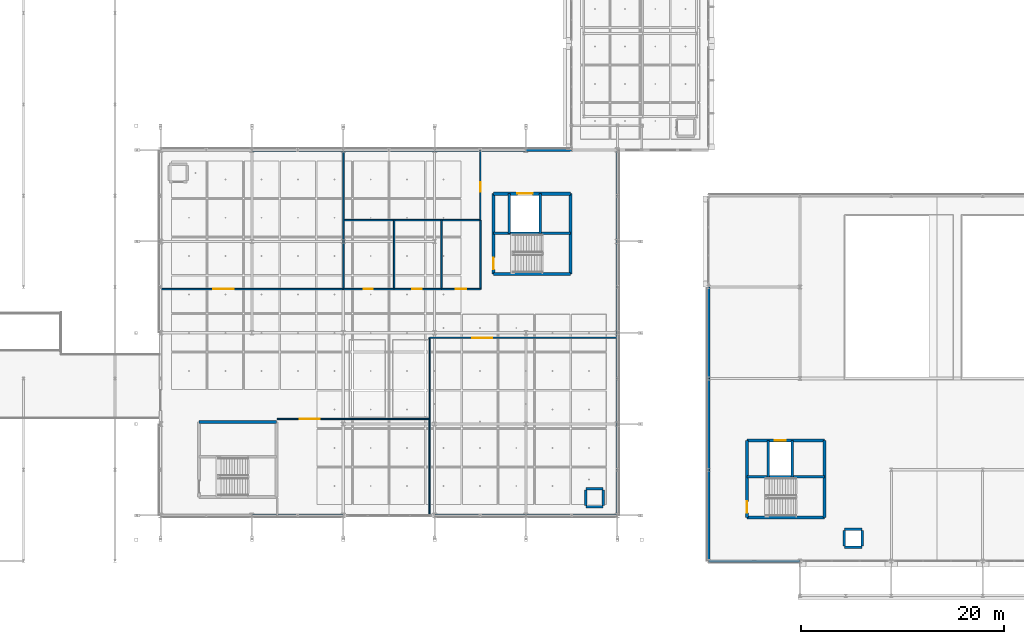
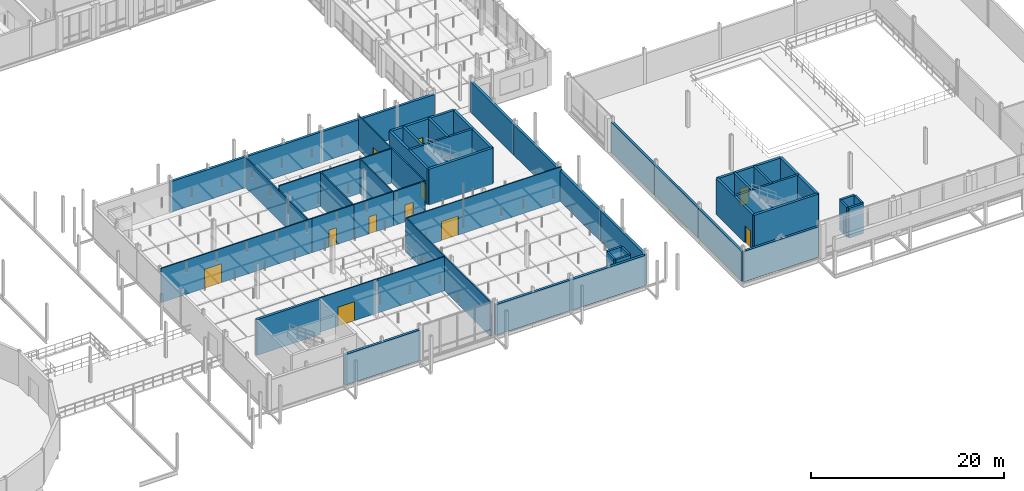
# One storey, part 69 of 130: 52 walls, 11 doors, 11 openings.
"""IFC4 building model written with IfcOpenShell, lengths in metres."""

from ifc_helpers import new_model, si_unit, direction, frame, frame_2d, origin, place, context, subcontext, project, spatial, rectangle, extrude, material, layer, layer_set, type_object, element, fill, save


model = new_model("IFC4")

# Units and contexts
model_context = context("Model", 3, precision=1e-05, world=origin(), true_north=direction((0.0, 1.0)))
body_context = subcontext(model_context, "Body", "Model", "MODEL_VIEW")
ifc_project = project(units=[si_unit("LENGTHUNIT", "METRE"), si_unit("AREAUNIT", "SQUARE_METRE"), si_unit("VOLUMEUNIT", "CUBIC_METRE"), si_unit("PLANEANGLEUNIT", "RADIAN"), si_unit("MASSUNIT", "GRAM", prefix="KILO"), si_unit("THERMODYNAMICTEMPERATUREUNIT", "KELVIN"), si_unit("POWERUNIT", "WATT")], contexts=[model_context])

# Site, building, storey
site_placement = place(None, origin())
site = spatial("IfcSite", under=ifc_project, at=site_placement, CompositionType="ELEMENT")
building_placement = place(site_placement, origin())
building = spatial("IfcBuilding", under=site, at=building_placement, Name="Tallowbark Science Centre", CompositionType="ELEMENT")
storey_placement = place(building_placement, frame((0.0, 0.0, 5.39990234375)))
storey = spatial("IfcBuildingStorey", under=building, at=storey_placement, Name="L01", CompositionType="ELEMENT", Elevation=5.39990234375)

# Walls
ifc_material_1 = material(Name="Insulated Ribbed Precast Concrete Panel Grade N40 (40 MPa)", Category="concrete")
ifc_layer_1 = layer(ifc_material_1, 0.264892578125)
ifc_layer_set_1 = layer_set([ifc_layer_1], Name="Insulated Ribbed Precast Concrete Panel Grade N40 (40 MPa)")
wall_type_1 = type_object("IfcWallType", Name="EWL-PRC-265", PredefinedType="STANDARD", material=ifc_layer_set_1)
wall_1_placement = place(storey_placement, frame((112.5, 0.0, 0.0), z_axis=(0.0, 0.0, 1.0), x_axis=(1.0, 0.0, 0.0)))
element("IfcWall", 1, at=wall_1_placement, inside=storey, type_object=wall_type_1, Name="Exterior Wall THT-S-L01-0", PredefinedType="STANDARD", context=body_context, shape_type="SweptSolid", body=[
    extrude(rectangle(XDim=9.0, YDim=0.264892578125, at=frame_2d((4.5, 0.0))), origin(), (0.0, 0.0, 1.0), 3.84619140625),
])
for number, where, z_axis, x_axis, name in (
    (2, (112.5, 9.0, 0.0), (0.0, 0.0, 1.0), (0.0, -1.0, 0.0), "Exterior Wall THT-W-L01-0"),
    (3, (112.5, 18.0, 0.0), (0.0, 0.0, 1.0), (0.0, -1.0, 0.0), "Exterior Wall THT-W-L01-1"),
    (4, (112.5, 27.0, 0.0), (0.0, 0.0, 1.0), (0.0, -1.0, 0.0), "Exterior Wall THT-W-L01-2"),
):
    element("IfcWall", number, at=place(storey_placement, frame(where, z_axis=z_axis, x_axis=x_axis)), inside=storey, type_object=wall_type_1, Name=name, PredefinedType="STANDARD", context=body_context, shape_type="SweptSolid", body=[
        extrude(rectangle(XDim=9.0, YDim=0.264892578125, at=frame_2d((4.5, 0.0))), origin(), (0.0, 0.0, 1.0), 3.78125),
    ])
ifc_material_2 = material(Name="Spotted Gum Acoustic Cassette Wall Assembly", Category="wood")
ifc_layer_2 = layer(ifc_material_2, 0.294921875)
ifc_layer_set_2 = layer_set([ifc_layer_2], Name="Spotted Gum Acoustic Cassette Wall Assembly")
wall_type_2 = type_object("IfcWallType", Name="EWL-TIM-295", PredefinedType="STANDARD", material=ifc_layer_set_2)
for number, where, z_axis, x_axis, name in (
    (5, (67.5, 4.5, 0.0), (0.0, 0.0, 1.0), (1.0, 0.0, 0.0), "Exterior Wall CUB-S-L01-1"),
    (6, (76.5, 40.5, 0.0), (0.0, 0.0, 1.0), (-1.0, 0.0, 0.0), "Exterior Wall CUB-N-L01-1"),
    (7, (85.5, 40.5, 0.0), (0.0, 0.0, 1.0), (-1.0, 0.0, 0.0), "Exterior Wall CUB-N-L01-2"),
    (8, (85.5, 4.5, 0.0), (0.0, 0.0, 1.0), (1.0, 0.0, 0.0), "Exterior Wall CUB-S-L01-3"),
    (9, (94.5, 40.5, 0.0), (0.0, 0.0, 1.0), (-1.0, 0.0, 0.0), "Exterior Wall CUB-N-L01-3"),
    (10, (94.5, 4.5, 0.0), (0.0, 0.0, 1.0), (1.0, 0.0, 0.0), "Exterior Wall CUB-S-L01-4"),
):
    element("IfcWall", number, at=place(storey_placement, frame(where, z_axis=z_axis, x_axis=x_axis)), inside=storey, type_object=wall_type_2, Name=name, PredefinedType="STANDARD", context=body_context, shape_type="SweptSolid", body=[
        extrude(rectangle(XDim=9.0, YDim=0.294921875, at=frame_2d((4.5, 0.0))), origin(), (0.0, 0.0, 1.0), 3.84619140625),
    ])
wall_2_placement = place(storey_placement, frame((99.0, 40.5, 0.0), z_axis=(0.0, 0.0, 1.0), x_axis=(-1.0, 0.0, 0.0)))
element("IfcWall", 11, at=wall_2_placement, inside=storey, type_object=wall_type_2, Name="Exterior Wall CUB-N-L01-4", PredefinedType="STANDARD", context=body_context, shape_type="SweptSolid", body=[
    extrude(rectangle(XDim=4.5, YDim=0.294921875, at=frame_2d((2.25, 0.0))), origin(), (0.0, 0.0, 1.0), 3.84619140625),
])
for number, where, z_axis, x_axis, name in (
    (12, (103.5, 4.5, 0.0), (0.0, 0.0, 1.0), (0.0, 1.0, 0.0), "Exterior Wall CUB-E-L01-0"),
    (13, (103.5, 13.5, 0.0), (0.0, 0.0, 1.0), (0.0, 1.0, 0.0), "Exterior Wall CUB-E-L01-1"),
    (14, (103.5, 22.5, 0.0), (0.0, 0.0, 1.0), (0.0, 1.0, 0.0), "Exterior Wall CUB-E-L01-2"),
    (15, (103.5, 31.5, 0.0), (0.0, 0.0, 1.0), (0.0, 1.0, 0.0), "Exterior Wall CUB-E-L01-3"),
):
    element("IfcWall", number, at=place(storey_placement, frame(where, z_axis=z_axis, x_axis=x_axis)), inside=storey, type_object=wall_type_2, Name=name, PredefinedType="STANDARD", context=body_context, shape_type="SweptSolid", body=[
        extrude(rectangle(XDim=9.0, YDim=0.294921875, at=frame_2d((4.5, 0.0))), origin(), (0.0, 0.0, 1.0), 3.84619140625),
    ])
ifc_material_3 = material(Name="132 mm Acoustic Laboratory Steel Stud Partition", Category="steel")
ifc_layer_3 = layer(ifc_material_3, 0.132080078125)
ifc_layer_set_3 = layer_set([ifc_layer_3], Name="132 mm Acoustic Laboratory Steel Stud Partition")
wall_type_3 = type_object("IfcWallType", Name="PTW-132", PredefinedType="PARTITIONING", material=ifc_layer_set_3)
wall_3_placement = place(storey_placement, frame((77.0, 14.0, 0.0), z_axis=(0.0, 0.0, 1.0), x_axis=(1.0, 0.0, 0.0)))
element("IfcWall", 16, at=wall_3_placement, inside=storey, type_object=wall_type_3, Name="Interior Partition PTW-L01-0160", PredefinedType="PARTITIONING", context=body_context, shape_type="SweptSolid", body=[
    extrude(rectangle(XDim=8.0, YDim=0.132080078125, at=frame_2d((4.0, 0.0))), origin(), (0.0, 0.0, 1.0), 4.320068359375),
])
wall_4_placement = place(storey_placement, frame((85.0, 4.5, 0.0), z_axis=(0.0, 0.0, 1.0), x_axis=(0.0, 1.0, 0.0)))
element("IfcWall", 17, at=wall_4_placement, inside=storey, type_object=wall_type_3, Name="Interior Partition PTW-L01-0161", PredefinedType="PARTITIONING", context=body_context, shape_type="SweptSolid", body=[
    extrude(rectangle(XDim=17.5, YDim=0.132080078125, at=frame_2d((8.75, 0.0))), origin(), (0.0, 0.0, 1.0), 4.320068359375),
])

# Wall, opening, door
wall_5_placement = place(storey_placement, frame((90.0, 33.60009765625, 0.0), z_axis=(0.0, 0.0, 1.0), x_axis=(0.0, 1.0, 0.0)))
wall_5 = element("IfcWall", 18, at=wall_5_placement, inside=storey, type_object=wall_type_3, Name="Interior Partition PTW-L01-0172", PredefinedType="PARTITIONING", context=body_context, shape_type="SweptSolid", body=[
    extrude(rectangle(XDim=6.89990234375, YDim=0.132080078125, at=frame_2d((3.449951171875, 0.0))), origin(), (0.0, 0.0, 1.0), 4.320068359375),
])
opening_1_placement = place(wall_5_placement, frame((2.800048828125, 0.0, 0.0)))
opening_1 = element("IfcOpeningElement", 19, at=opening_1_placement, cuts=wall_5, Name="Opening ID-04", PredefinedType="OPENING", context=body_context, shape_type="SweptSolid", body=[
    extrude(rectangle(XDim=0.949951171875, YDim=2.14990234375, at=frame_2d((0.47509765625, 1.074951171875))), frame((0.0, 0.076171875, 0.0), z_axis=(0.0, -1.0, 0.0), x_axis=(1.0, 0.0, 0.0)), (0.0, 0.0, 1.0), 0.152099609375),
])
ifc_material_4 = material(Name="Solid-Core Timber Veneer Leaf", Category="wood")
door_type_1 = type_object("IfcDoorType", Name="IDR-OFF-095", OperationType="NOTDEFINED", PredefinedType="DOOR", material=ifc_material_4)
door_1_placement = place(opening_1_placement, origin())
door_1 = element("IfcDoor", 20, at=door_1_placement, inside=storey, type_object=door_type_1, Name="Interior Door IDR-L01-0069", OperationType="SINGLE_SWING_RIGHT", OverallHeight=2.14990234375, OverallWidth=0.949951171875, PredefinedType="DOOR", context=body_context, shape_type="SweptSolid", body=[
    extrude(rectangle(XDim=0.949951171875, YDim=2.14990234375, at=frame_2d((0.47509765625, 1.074951171875))), frame((0.0, 0.02490234375, 0.0), z_axis=(0.0, -1.0, 0.0), x_axis=(1.0, 0.0, 0.0)), (0.0, 0.0, 1.0), 0.050048828125),
])
fill(opening_1, door_1)

ifc_material_5 = material(Name="150 mm Wet-Area Moisture-Resistant Partition")
ifc_layer_4 = layer(ifc_material_5, 0.14990234375)
ifc_layer_set_4 = layer_set([ifc_layer_4], Name="150 mm Wet-Area Moisture-Resistant Partition")
wall_type_4 = type_object("IfcWallType", Name="PTW-150", PredefinedType="PARTITIONING", material=ifc_layer_set_4)
wall_6_placement = place(storey_placement, frame((76.5, 26.800048828125, 0.0), z_axis=(0.0, 0.0, 1.0), x_axis=(1.0, 0.0, 0.0)))
wall_6 = element("IfcWall", 21, at=wall_6_placement, inside=storey, type_object=wall_type_4, Name="Interior Partition PTW-L01-0164", PredefinedType="PARTITIONING", context=body_context, shape_type="SweptSolid", body=[
    extrude(rectangle(XDim=5.0, YDim=0.14990234375, at=frame_2d((2.5, 0.0))), origin(), (0.0, 0.0, 1.0), 4.320068359375),
])
opening_2_placement = place(wall_6_placement, frame((2.0, 0.0, 0.0)))
opening_2 = element("IfcOpeningElement", 22, at=opening_2_placement, cuts=wall_6, Name="Opening ID-05", PredefinedType="OPENING", context=body_context, shape_type="SweptSolid", body=[
    extrude(rectangle(XDim=0.919921875, YDim=2.14990234375, at=frame_2d((0.4599609375, 1.074951171875))), frame((0.0, 0.0849609375, 0.0), z_axis=(0.0, -1.0, 0.0), x_axis=(1.0, 0.0, 0.0)), (0.0, 0.0, 1.0), 0.169921875),
])
ifc_material_6 = material(Name="Moisture-Resistant Laminate Leaf")
door_type_2 = type_object("IfcDoorType", Name="IDR-WC-092", OperationType="NOTDEFINED", PredefinedType="DOOR", material=ifc_material_6)
door_2_placement = place(opening_2_placement, origin())
door_2 = element("IfcDoor", 23, at=door_2_placement, inside=storey, type_object=door_type_2, Name="Interior Door IDR-L01-0066", OperationType="SINGLE_SWING_RIGHT", OverallHeight=2.14990234375, OverallWidth=0.919921875, PredefinedType="DOOR", context=body_context, shape_type="SweptSolid", body=[
    extrude(rectangle(XDim=0.919921875, YDim=2.14990234375, at=frame_2d((0.4599609375, 1.074951171875))), frame((0.0, 0.02490234375, 0.0), z_axis=(0.0, -1.0, 0.0), x_axis=(1.0, 0.0, 0.0)), (0.0, 0.0, 1.0), 0.050048828125),
])
fill(opening_2, door_2)

wall_7_placement = place(storey_placement, frame((81.5, 26.800048828125, 0.0), z_axis=(0.0, 0.0, 1.0), x_axis=(1.0, 0.0, 0.0)))
wall_7 = element("IfcWall", 24, at=wall_7_placement, inside=storey, type_object=wall_type_4, Name="Interior Partition PTW-L01-0165", PredefinedType="PARTITIONING", context=body_context, shape_type="SweptSolid", body=[
    extrude(rectangle(XDim=4.699951171875, YDim=0.14990234375, at=frame_2d((2.35009765625, 0.0))), origin(), (0.0, 0.0, 1.0), 4.320068359375),
])
opening_3_placement = place(wall_7_placement, frame((1.800048828125, 0.0, 0.0)))
opening_3 = element("IfcOpeningElement", 25, at=opening_3_placement, cuts=wall_7, Name="Opening ID-05", PredefinedType="OPENING", context=body_context, shape_type="SweptSolid", body=[
    extrude(rectangle(XDim=0.919921875, YDim=2.14990234375, at=frame_2d((0.4599609375, 1.074951171875))), frame((0.0, 0.0849609375, 0.0), z_axis=(0.0, -1.0, 0.0), x_axis=(1.0, 0.0, 0.0)), (0.0, 0.0, 1.0), 0.169921875),
])
door_3_placement = place(opening_3_placement, origin())
door_3 = element("IfcDoor", 26, at=door_3_placement, inside=storey, type_object=door_type_2, Name="Interior Door IDR-L01-0067", OperationType="SINGLE_SWING_LEFT", OverallHeight=2.14990234375, OverallWidth=0.919921875, PredefinedType="DOOR", context=body_context, shape_type="SweptSolid", body=[
    extrude(rectangle(XDim=0.919921875, YDim=2.14990234375, at=frame_2d((0.4599609375, 1.074951171875))), frame((0.0, 0.02490234375, 0.0), z_axis=(0.0, -1.0, 0.0), x_axis=(1.0, 0.0, 0.0)), (0.0, 0.0, 1.0), 0.050048828125),
])
fill(opening_3, door_3)

wall_8_placement = place(storey_placement, frame((86.199951171875, 26.800048828125, 0.0), z_axis=(0.0, 0.0, 1.0), x_axis=(1.0, 0.0, 0.0)))
wall_8 = element("IfcWall", 27, at=wall_8_placement, inside=storey, type_object=wall_type_4, Name="Interior Partition PTW-L01-0166", PredefinedType="PARTITIONING", context=body_context, shape_type="SweptSolid", body=[
    extrude(rectangle(XDim=3.800048828125, YDim=0.14990234375, at=frame_2d((1.89990234375, 0.0))), origin(), (0.0, 0.0, 1.0), 4.320068359375),
])
opening_4_placement = place(wall_8_placement, frame((1.39990234375, 0.0, 0.0)))
opening_4 = element("IfcOpeningElement", 28, at=opening_4_placement, cuts=wall_8, Name="Opening ID-06", PredefinedType="OPENING", context=body_context, shape_type="SweptSolid", body=[
    extrude(rectangle(XDim=1.0, YDim=2.14990234375, at=frame_2d((0.5, 1.074951171875))), frame((0.0, 0.0849609375, 0.0), z_axis=(0.0, -1.0, 0.0), x_axis=(1.0, 0.0, 0.0)), (0.0, 0.0, 1.0), 0.169921875),
])
ifc_material_7 = material(Name="Accessible Cavity Sliding Leaf")
door_type_3 = type_object("IfcDoorType", Name="IDR-AWC-100", OperationType="SLIDING_TO_LEFT", PredefinedType="DOOR", material=ifc_material_7)
door_4_placement = place(opening_4_placement, origin())
door_4 = element("IfcDoor", 29, at=door_4_placement, inside=storey, type_object=door_type_3, Name="Interior Door IDR-L01-0068", OperationType="SLIDING_TO_LEFT", OverallHeight=2.14990234375, OverallWidth=1.0, PredefinedType="DOOR", context=body_context, shape_type="SweptSolid", body=[
    extrude(rectangle(XDim=1.0, YDim=2.14990234375, at=frame_2d((0.5, 1.074951171875))), frame((0.0, 0.02490234375, 0.0), z_axis=(0.0, -1.0, 0.0), x_axis=(1.0, 0.0, 0.0)), (0.0, 0.0, 1.0), 0.050048828125),
])
fill(opening_4, door_4)

# Walls
wall_9_placement = place(storey_placement, frame((76.5, 26.800048828125, 0.0), z_axis=(0.0, 0.0, 1.0), x_axis=(0.0, 1.0, 0.0)))
element("IfcWall", 30, at=wall_9_placement, inside=storey, type_object=wall_type_4, Name="Interior Partition PTW-L01-0167", PredefinedType="PARTITIONING", context=body_context, shape_type="SweptSolid", body=[
    extrude(rectangle(XDim=13.699951171875, YDim=0.14990234375, at=frame_2d((6.85009765625, 0.0))), origin(), (0.0, 0.0, 1.0), 3.77197265625),
])
for number, where, z_axis, x_axis, name in (
    (31, (81.5, 26.800048828125, 0.0), (0.0, 0.0, 1.0), (0.0, 1.0, 0.0), "Interior Partition PTW-L01-0168"),
    (32, (86.199951171875, 26.800048828125, 0.0), (0.0, 0.0, 1.0), (0.0, 1.0, 0.0), "Interior Partition PTW-L01-0169"),
):
    element("IfcWall", number, at=place(storey_placement, frame(where, z_axis=z_axis, x_axis=x_axis)), inside=storey, type_object=wall_type_4, Name=name, PredefinedType="PARTITIONING", context=body_context, shape_type="SweptSolid", body=[
        extrude(rectangle(XDim=6.800048828125, YDim=0.14990234375, at=frame_2d((3.39990234375, 0.0))), origin(), (0.0, 0.0, 1.0), 4.320068359375),
    ])
wall_10_placement = place(storey_placement, frame((76.5, 33.60009765625, 0.0), z_axis=(0.0, 0.0, 1.0), x_axis=(1.0, 0.0, 0.0)))
element("IfcWall", 33, at=wall_10_placement, inside=storey, type_object=wall_type_4, Name="Interior Partition PTW-L01-0170", PredefinedType="PARTITIONING", context=body_context, shape_type="SweptSolid", body=[
    extrude(rectangle(XDim=13.5, YDim=0.14990234375, at=frame_2d((6.75, 0.0))), origin(), (0.0, 0.0, 1.0), 4.320068359375),
])
wall_11_placement = place(storey_placement, frame((90.0, 26.800048828125, 0.0), z_axis=(0.0, 0.0, 1.0), x_axis=(0.0, 1.0, 0.0)))
element("IfcWall", 34, at=wall_11_placement, inside=storey, type_object=wall_type_4, Name="Interior Partition PTW-L01-0171", PredefinedType="PARTITIONING", context=body_context, shape_type="SweptSolid", body=[
    extrude(rectangle(XDim=6.800048828125, YDim=0.14990234375, at=frame_2d((3.39990234375, 0.0))), origin(), (0.0, 0.0, 1.0), 4.320068359375),
])

# Wall, opening, door
ifc_material_8 = material(Name="125 mm Top-Hung Operable Acoustic Exhibition Partition")
ifc_layer_5 = layer(ifc_material_8, 0.125)
ifc_layer_set_5 = layer_set([ifc_layer_5], Name="125 mm Top-Hung Operable Acoustic Exhibition Partition")
wall_type_5 = type_object("IfcWallType", Name="PTW-MOV-125", PredefinedType="MOVABLE", material=ifc_layer_set_5)
wall_12_placement = place(storey_placement, frame((70.0, 14.0, 0.0), z_axis=(0.0, 0.0, 1.0), x_axis=(1.0, 0.0, 0.0)))
wall_12 = element("IfcWall", 35, at=wall_12_placement, inside=storey, type_object=wall_type_5, Name="Interior Partition PTW-L01-0159", PredefinedType="MOVABLE", context=body_context, shape_type="SweptSolid", body=[
    extrude(rectangle(XDim=7.0, YDim=0.125, at=frame_2d((3.5, 0.0))), origin(), (0.0, 0.0, 1.0), 4.320068359375),
])
opening_5_placement = place(wall_12_placement, frame((2.199951171875, 0.0, 0.0)))
opening_5 = element("IfcOpeningElement", 36, at=opening_5_placement, cuts=wall_12, Name="Opening ID-02", PredefinedType="OPENING", context=body_context, shape_type="SweptSolid", body=[
    extrude(rectangle(XDim=2.0, YDim=2.39990234375, at=frame_2d((1.0, 1.199951171875))), frame((0.0, 0.072509765625, 0.0), z_axis=(0.0, -1.0, 0.0), x_axis=(1.0, 0.0, 0.0)), (0.0, 0.0, 1.0), 0.14501953125),
])
ifc_material_9 = material(Name="Spotted Gum Acoustic Gallery Pair", Category="wood")
door_type_4 = type_object("IfcDoorType", Name="IDR-GAL-200", OperationType="DOUBLE_DOOR_DOUBLE_SWING", PredefinedType="DOOR", material=ifc_material_9)
door_5_placement = place(opening_5_placement, origin())
door_5 = element("IfcDoor", 37, at=door_5_placement, inside=storey, type_object=door_type_4, Name="Interior Door IDR-L01-0063", OperationType="DOUBLE_DOOR_DOUBLE_SWING", OverallHeight=2.39990234375, OverallWidth=2.0, PredefinedType="DOOR", context=body_context, shape_type="SweptSolid", body=[
    extrude(rectangle(XDim=2.0, YDim=2.39990234375, at=frame_2d((1.0, 1.199951171875))), frame((0.0, 0.02490234375, 0.0), z_axis=(0.0, -1.0, 0.0), x_axis=(1.0, 0.0, 0.0)), (0.0, 0.0, 1.0), 0.050048828125),
])
fill(opening_5, door_5)

wall_13_placement = place(storey_placement, frame((85.0, 22.0, 0.0), z_axis=(0.0, 0.0, 1.0), x_axis=(1.0, 0.0, 0.0)))
wall_13 = element("IfcWall", 38, at=wall_13_placement, inside=storey, type_object=wall_type_5, Name="Interior Partition PTW-L01-0162", PredefinedType="MOVABLE", context=body_context, shape_type="SweptSolid", body=[
    extrude(rectangle(XDim=18.5, YDim=0.125, at=frame_2d((9.25, 0.0))), origin(), (0.0, 0.0, 1.0), 4.320068359375),
])
opening_6_placement = place(wall_13_placement, frame((4.199951171875, 0.0, 0.0)))
opening_6 = element("IfcOpeningElement", 39, at=opening_6_placement, cuts=wall_13, Name="Opening ID-02", PredefinedType="OPENING", context=body_context, shape_type="SweptSolid", body=[
    extrude(rectangle(XDim=2.0, YDim=2.39990234375, at=frame_2d((1.0, 1.199951171875))), frame((0.0, 0.072509765625, 0.0), z_axis=(0.0, -1.0, 0.0), x_axis=(1.0, 0.0, 0.0)), (0.0, 0.0, 1.0), 0.14501953125),
])
door_6_placement = place(opening_6_placement, origin())
door_6 = element("IfcDoor", 40, at=door_6_placement, inside=storey, type_object=door_type_4, Name="Interior Door IDR-L01-0064", OperationType="DOUBLE_DOOR_DOUBLE_SWING", OverallHeight=2.39990234375, OverallWidth=2.0, PredefinedType="DOOR", context=body_context, shape_type="SweptSolid", body=[
    extrude(rectangle(XDim=2.0, YDim=2.39990234375, at=frame_2d((1.0, 1.199951171875))), frame((0.0, 0.02490234375, 0.0), z_axis=(0.0, -1.0, 0.0), x_axis=(1.0, 0.0, 0.0)), (0.0, 0.0, 1.0), 0.050048828125),
])
fill(opening_6, door_6)

wall_14_placement = place(storey_placement, frame((58.5, 26.800048828125, 0.0), z_axis=(0.0, 0.0, 1.0), x_axis=(1.0, 0.0, 0.0)))
wall_14 = element("IfcWall", 41, at=wall_14_placement, inside=storey, type_object=wall_type_5, Name="Interior Partition PTW-L01-0163", PredefinedType="MOVABLE", context=body_context, shape_type="SweptSolid", body=[
    extrude(rectangle(XDim=18.0, YDim=0.125, at=frame_2d((9.0, 0.0))), origin(), (0.0, 0.0, 1.0), 4.320068359375),
])
opening_7_placement = place(wall_14_placement, frame((5.199951171875, 0.0, 0.0)))
opening_7 = element("IfcOpeningElement", 42, at=opening_7_placement, cuts=wall_14, Name="Opening ID-02", PredefinedType="OPENING", context=body_context, shape_type="SweptSolid", body=[
    extrude(rectangle(XDim=2.0, YDim=2.39990234375, at=frame_2d((1.0, 1.199951171875))), frame((0.0, 0.072509765625, 0.0), z_axis=(0.0, -1.0, 0.0), x_axis=(1.0, 0.0, 0.0)), (0.0, 0.0, 1.0), 0.14501953125),
])
door_7_placement = place(opening_7_placement, origin())
door_7 = element("IfcDoor", 43, at=door_7_placement, inside=storey, type_object=door_type_4, Name="Interior Door IDR-L01-0065", OperationType="DOUBLE_DOOR_DOUBLE_SWING", OverallHeight=2.39990234375, OverallWidth=2.0, PredefinedType="DOOR", context=body_context, shape_type="SweptSolid", body=[
    extrude(rectangle(XDim=2.0, YDim=2.39990234375, at=frame_2d((1.0, 1.199951171875))), frame((0.0, 0.02490234375, 0.0), z_axis=(0.0, -1.0, 0.0), x_axis=(1.0, 0.0, 0.0)), (0.0, 0.0, 1.0), 0.050048828125),
])
fill(opening_7, door_7)

ifc_material_10 = material(Name="Concrete Grade N40 (40 MPa)", Category="concrete")
ifc_layer_6 = layer(ifc_material_10, 0.300048828125)
ifc_layer_set_6 = layer_set([ifc_layer_6], Name="Concrete Grade N40 (40 MPa)")
wall_type_6 = type_object("IfcWallType", Name="WL-CORE-300", PredefinedType="SHEAR", material=ifc_layer_set_6)
wall_15_placement = place(storey_placement, frame((91.300048828125, 28.300048828125, 0.0), z_axis=(0.0, 0.0, 1.0), x_axis=(0.0, 1.0, 0.0)))
wall_15 = element("IfcWall", 44, at=wall_15_placement, inside=storey, type_object=wall_type_6, Name="Core C3 Shear Wall L01 W", PredefinedType="SHEAR", context=body_context, shape_type="SweptSolid", body=[
    extrude(rectangle(XDim=7.89990234375, YDim=0.300048828125, at=frame_2d((3.949951171875, 0.0))), origin(), (0.0, 0.0, 1.0), 4.5),
])
opening_8_placement = place(wall_15_placement, frame((0.449951171875, 0.0, 0.0)))
opening_8 = element("IfcOpeningElement", 45, at=opening_8_placement, cuts=wall_15, Name="Opening FD-01", PredefinedType="OPENING", context=body_context, shape_type="SweptSolid", body=[
    extrude(rectangle(XDim=1.14990234375, YDim=2.14990234375, at=frame_2d((0.574951171875, 1.074951171875))), frame((0.0, 0.16015625, 0.0), z_axis=(0.0, -1.0, 0.0), x_axis=(1.0, 0.0, 0.0)), (0.0, 0.0, 1.0), 0.320068359375),
])
ifc_material_11 = material(Name="Fire-Rated Pressed Steel Frame and Solid Core Leaf", Category="steel")
door_type_5 = type_object("IfcDoorType", Name="FDR-STR-115", OperationType="NOTDEFINED", PredefinedType="DOOR", material=ifc_material_11)
door_8_placement = place(opening_8_placement, origin())
door_8 = element("IfcDoor", 46, at=door_8_placement, inside=storey, type_object=door_type_5, Name="Stair ST-03 Fire Door L01", OperationType="SINGLE_SWING_LEFT", OverallHeight=2.14990234375, OverallWidth=1.14990234375, PredefinedType="DOOR", context=body_context, shape_type="SweptSolid", body=[
    extrude(rectangle(XDim=1.14990234375, YDim=2.14990234375, at=frame_2d((0.574951171875, 1.074951171875))), frame((0.0, 0.02490234375, 0.0), z_axis=(0.0, -1.0, 0.0), x_axis=(1.0, 0.0, 0.0)), (0.0, 0.0, 1.0), 0.050048828125),
])
fill(opening_8, door_8)

# Walls
wall_16_placement = place(storey_placement, frame((98.89990234375, 28.300048828125, 0.0), z_axis=(0.0, 0.0, 1.0), x_axis=(0.0, 1.0, 0.0)))
element("IfcWall", 47, at=wall_16_placement, inside=storey, type_object=wall_type_6, Name="Core C3 Shear Wall L01 E", PredefinedType="SHEAR", context=body_context, shape_type="SweptSolid", body=[
    extrude(rectangle(XDim=7.89990234375, YDim=0.300048828125, at=frame_2d((3.949951171875, 0.0))), origin(), (0.0, 0.0, 1.0), 4.5),
])
wall_17_placement = place(storey_placement, frame((91.300048828125, 28.300048828125, 0.0), z_axis=(0.0, 0.0, 1.0), x_axis=(1.0, 0.0, 0.0)))
element("IfcWall", 48, at=wall_17_placement, inside=storey, type_object=wall_type_6, Name="Core C3 Shear Wall L01 S", PredefinedType="SHEAR", context=body_context, shape_type="SweptSolid", body=[
    extrude(rectangle(XDim=7.599853515625, YDim=0.300048828125, at=frame_2d((3.7998046875, 0.0))), origin(), (0.0, 0.0, 1.0), 4.5),
])

# Wall, opening, door
wall_18_placement = place(storey_placement, frame((91.300048828125, 36.199951171875, 0.0), z_axis=(0.0, 0.0, 1.0), x_axis=(1.0, 0.0, 0.0)))
wall_18 = element("IfcWall", 49, at=wall_18_placement, inside=storey, type_object=wall_type_6, Name="Core C3 Shear Wall L01 N", PredefinedType="SHEAR", context=body_context, shape_type="SweptSolid", body=[
    extrude(rectangle(XDim=7.599853515625, YDim=0.300048828125, at=frame_2d((3.7998046875, 0.0))), origin(), (0.0, 0.0, 1.0), 4.5),
])
opening_9_placement = place(wall_18_placement, frame((2.35009765625, 0.0, 0.0)))
opening_9 = element("IfcOpeningElement", 50, at=opening_9_placement, cuts=wall_18, Name="Opening LD-02", PredefinedType="OPENING", context=body_context, shape_type="SweptSolid", body=[
    extrude(rectangle(XDim=1.5, YDim=2.39990234375, at=frame_2d((0.75, 1.199951171875))), frame((0.0, 0.16015625, 0.0), z_axis=(0.0, -1.0, 0.0), x_axis=(1.0, 0.0, 0.0)), (0.0, 0.0, 1.0), 0.320068359375),
])
ifc_material_12 = material(Name="Heavy-Duty Goods and Stretcher Lift Landing Door")
door_type_6 = type_object("IfcDoorType", Name="LDR-GDS-150", OperationType="DOUBLE_DOOR_SLIDING", PredefinedType="DOOR", material=ifc_material_12)
door_9_placement = place(opening_9_placement, origin())
door_9 = element("IfcDoor", 51, at=door_9_placement, inside=storey, type_object=door_type_6, Name="Lift LF-06 Landing Door L01", OperationType="DOUBLE_DOOR_SLIDING", OverallHeight=2.39990234375, OverallWidth=1.5, PredefinedType="DOOR", context=body_context, shape_type="SweptSolid", body=[
    extrude(rectangle(XDim=1.5, YDim=2.39990234375, at=frame_2d((0.75, 1.199951171875))), frame((0.0, 0.02490234375, 0.0), z_axis=(0.0, -1.0, 0.0), x_axis=(1.0, 0.0, 0.0)), (0.0, 0.0, 1.0), 0.050048828125),
])
fill(opening_9, door_9)

wall_19_placement = place(storey_placement, frame((116.300048828125, 4.300048828125, 0.0), z_axis=(0.0, 0.0, 1.0), x_axis=(0.0, 1.0, 0.0)))
wall_19 = element("IfcWall", 52, at=wall_19_placement, inside=storey, type_object=wall_type_6, Name="Core C6 Shear Wall L01 W", PredefinedType="SHEAR", context=body_context, shape_type="SweptSolid", body=[
    extrude(rectangle(XDim=7.599853515625, YDim=0.300048828125, at=frame_2d((3.7998046875, 0.0))), origin(), (0.0, 0.0, 1.0), 4.5),
])
opening_10_placement = place(wall_19_placement, frame((0.449951171875, 0.0, 0.0)))
opening_10 = element("IfcOpeningElement", 53, at=opening_10_placement, cuts=wall_19, Name="Opening FD-01", PredefinedType="OPENING", context=body_context, shape_type="SweptSolid", body=[
    extrude(rectangle(XDim=1.14990234375, YDim=2.14990234375, at=frame_2d((0.574951171875, 1.074951171875))), frame((0.0, 0.16015625, 0.0), z_axis=(0.0, -1.0, 0.0), x_axis=(1.0, 0.0, 0.0)), (0.0, 0.0, 1.0), 0.320068359375),
])
door_10_placement = place(opening_10_placement, origin())
door_10 = element("IfcDoor", 54, at=door_10_placement, inside=storey, type_object=door_type_5, Name="Stair ST-06 Fire Door L01", OperationType="SINGLE_SWING_RIGHT", OverallHeight=2.14990234375, OverallWidth=1.14990234375, PredefinedType="DOOR", context=body_context, shape_type="SweptSolid", body=[
    extrude(rectangle(XDim=1.14990234375, YDim=2.14990234375, at=frame_2d((0.574951171875, 1.074951171875))), frame((0.0, 0.02490234375, 0.0), z_axis=(0.0, -1.0, 0.0), x_axis=(1.0, 0.0, 0.0)), (0.0, 0.0, 1.0), 0.050048828125),
])
fill(opening_10, door_10)

# Walls
for number, where, z_axis, x_axis, name in (
    (55, (123.89990234375, 4.300048828125, 0.0), (0.0, 0.0, 1.0), (0.0, 1.0, 0.0), "Core C6 Shear Wall L01 E"),
    (56, (116.300048828125, 4.300048828125, 0.0), (0.0, 0.0, 1.0), (1.0, 0.0, 0.0), "Core C6 Shear Wall L01 S"),
):
    element("IfcWall", number, at=place(storey_placement, frame(where, z_axis=z_axis, x_axis=x_axis)), inside=storey, type_object=wall_type_6, Name=name, PredefinedType="SHEAR", context=body_context, shape_type="SweptSolid", body=[
        extrude(rectangle(XDim=7.599853515625, YDim=0.300048828125, at=frame_2d((3.7998046875, 0.0))), origin(), (0.0, 0.0, 1.0), 4.5),
    ])

# Wall, opening, door
wall_20_placement = place(storey_placement, frame((116.300048828125, 11.89990234375, 0.0), z_axis=(0.0, 0.0, 1.0), x_axis=(1.0, 0.0, 0.0)))
wall_20 = element("IfcWall", 57, at=wall_20_placement, inside=storey, type_object=wall_type_6, Name="Core C6 Shear Wall L01 N", PredefinedType="SHEAR", context=body_context, shape_type="SweptSolid", body=[
    extrude(rectangle(XDim=7.599853515625, YDim=0.300048828125, at=frame_2d((3.7998046875, 0.0))), origin(), (0.0, 0.0, 1.0), 4.5),
])
opening_11_placement = place(wall_20_placement, frame((2.699951171875, 0.0, 0.0)))
opening_11 = element("IfcOpeningElement", 58, at=opening_11_placement, cuts=wall_20, Name="Opening LD-01", PredefinedType="OPENING", context=body_context, shape_type="SweptSolid", body=[
    extrude(rectangle(XDim=1.10009765625, YDim=2.199951171875, at=frame_2d((0.550048828125, 1.10009765625))), frame((0.0, 0.16015625, 0.0), z_axis=(0.0, -1.0, 0.0), x_axis=(1.0, 0.0, 0.0)), (0.0, 0.0, 1.0), 0.320068359375),
])
ifc_material_13 = material(Name="Brushed Stainless Steel Centre-Parting Lift Landing Door", Category="steel")
door_type_7 = type_object("IfcDoorType", Name="LDR-LFT-110", OperationType="DOUBLE_DOOR_SLIDING", PredefinedType="DOOR", material=ifc_material_13)
door_11_placement = place(opening_11_placement, origin())
door_11 = element("IfcDoor", 59, at=door_11_placement, inside=storey, type_object=door_type_7, Name="Lift LF-05 Landing Door L01", OperationType="DOUBLE_DOOR_SLIDING", OverallHeight=2.199951171875, OverallWidth=1.10009765625, PredefinedType="DOOR", context=body_context, shape_type="SweptSolid", body=[
    extrude(rectangle(XDim=1.10009765625, YDim=2.199951171875, at=frame_2d((0.550048828125, 1.10009765625))), frame((0.0, 0.02490234375, 0.0), z_axis=(0.0, -1.0, 0.0), x_axis=(1.0, 0.0, 0.0)), (0.0, 0.0, 1.0), 0.050048828125),
])
fill(opening_11, door_11)

# Walls
wall_21_placement = place(storey_placement, frame((62.300048828125, 13.699951171875, 0.0), z_axis=(0.0, 0.0, 1.0), x_axis=(1.0, 0.0, 0.0)))
element("IfcWall", 60, at=wall_21_placement, inside=storey, type_object=wall_type_6, Name="Core C7 Shear Wall L01 N", PredefinedType="SHEAR", context=body_context, shape_type="SweptSolid", body=[
    extrude(rectangle(XDim=7.599853515625, YDim=0.300048828125, at=frame_2d((3.7998046875, 0.0))), origin(), (0.0, 0.0, 1.0), 4.5),
])
ifc_layer_7 = layer(ifc_material_10, 0.25)
ifc_layer_set_7 = layer_set([ifc_layer_7], Name="Concrete Grade N40 (40 MPa)")
wall_type_7 = type_object("IfcWallType", Name="WL-SHAFT-250", PredefinedType="SHEAR", material=ifc_layer_set_7)
wall_22_placement = place(storey_placement, frame((91.300048828125, 32.294921875, 0.0), z_axis=(0.0, 0.0, 1.0), x_axis=(1.0, 0.0, 0.0)))
element("IfcWall", 61, at=wall_22_placement, inside=storey, type_object=wall_type_7, Name="Core C3 Shear Wall L01 MID", PredefinedType="SHEAR", context=body_context, shape_type="SweptSolid", body=[
    extrude(rectangle(XDim=7.599853515625, YDim=0.25, at=frame_2d((3.7998046875, 0.0))), origin(), (0.0, 0.0, 1.0), 4.5),
])
for number, where, z_axis, x_axis, name in (
    (62, (92.875, 32.294921875, 0.0), (0.0, 0.0, 1.0), (0.0, 1.0, 0.0), "Core C3 Shear Wall L01 LW"),
    (63, (95.925048828125, 32.294921875, 0.0), (0.0, 0.0, 1.0), (0.0, 1.0, 0.0), "Core C3 Shear Wall L01 LE"),
):
    element("IfcWall", number, at=place(storey_placement, frame(where, z_axis=z_axis, x_axis=x_axis)), inside=storey, type_object=wall_type_7, Name=name, PredefinedType="SHEAR", context=body_context, shape_type="SweptSolid", body=[
        extrude(rectangle(XDim=3.905029296875, YDim=0.25, at=frame_2d((1.95263671875, 0.0))), origin(), (0.0, 0.0, 1.0), 4.5),
    ])
wall_23_placement = place(storey_placement, frame((116.300048828125, 8.294921875, 0.0), z_axis=(0.0, 0.0, 1.0), x_axis=(1.0, 0.0, 0.0)))
element("IfcWall", 64, at=wall_23_placement, inside=storey, type_object=wall_type_7, Name="Core C6 Shear Wall L01 MID", PredefinedType="SHEAR", context=body_context, shape_type="SweptSolid", body=[
    extrude(rectangle(XDim=7.599853515625, YDim=0.25, at=frame_2d((3.7998046875, 0.0))), origin(), (0.0, 0.0, 1.0), 4.5),
])
for number, where, z_axis, x_axis, name in (
    (65, (118.375, 8.294921875, 0.0), (0.0, 0.0, 1.0), (0.0, 1.0, 0.0), "Core C6 Shear Wall L01 LW"),
    (66, (120.72509765625, 8.294921875, 0.0), (0.0, 0.0, 1.0), (0.0, 1.0, 0.0), "Core C6 Shear Wall L01 LE"),
):
    element("IfcWall", number, at=place(storey_placement, frame(where, z_axis=z_axis, x_axis=x_axis)), inside=storey, type_object=wall_type_7, Name=name, PredefinedType="SHEAR", context=body_context, shape_type="SweptSolid", body=[
        extrude(rectangle(XDim=3.60498046875, YDim=0.25, at=frame_2d((1.802490234375, 0.0))), origin(), (0.0, 0.0, 1.0), 4.5),
    ])
for number, where, z_axis, x_axis, name in (
    (67, (100.39990234375, 5.375, 0.0), (0.0, 0.0, 1.0), (1.0, 0.0, 0.0), "Service Riser Shaft Wall RSR-CUB-E L01 S"),
    (68, (100.39990234375, 7.125, 0.0), (0.0, 0.0, 1.0), (1.0, 0.0, 0.0), "Service Riser Shaft Wall RSR-CUB-E L01 N"),
):
    element("IfcWall", number, at=place(storey_placement, frame(where, z_axis=z_axis, x_axis=x_axis)), inside=storey, type_object=wall_type_7, Name=name, PredefinedType="SHEAR", context=body_context, shape_type="SweptSolid", body=[
        extrude(rectangle(XDim=1.7001953125, YDim=0.25, at=frame_2d((0.85009765625, 0.0))), origin(), (0.0, 0.0, 1.0), 3.77001953125),
    ])
for number, where, z_axis, x_axis, name in (
    (69, (100.375, 5.5, 0.0), (0.0, 0.0, 1.0), (0.0, 1.0, 0.0), "Service Riser Shaft Wall RSR-CUB-E L01 W"),
    (70, (102.125, 5.5, 0.0), (0.0, 0.0, 1.0), (0.0, 1.0, 0.0), "Service Riser Shaft Wall RSR-CUB-E L01 E"),
):
    element("IfcWall", number, at=place(storey_placement, frame(where, z_axis=z_axis, x_axis=x_axis)), inside=storey, type_object=wall_type_7, Name=name, PredefinedType="SHEAR", context=body_context, shape_type="SweptSolid", body=[
        extrude(rectangle(XDim=1.5, YDim=0.25, at=frame_2d((0.75, 0.0))), origin(), (0.0, 0.0, 1.0), 3.77001953125),
    ])
for number, where, z_axis, x_axis, name in (
    (71, (125.89990234375, 1.375, 0.0), (0.0, 0.0, 1.0), (1.0, 0.0, 0.0), "Service Riser Shaft Wall RSR-THT-W L01 S"),
    (72, (125.89990234375, 3.125, 0.0), (0.0, 0.0, 1.0), (1.0, 0.0, 0.0), "Service Riser Shaft Wall RSR-THT-W L01 N"),
):
    element("IfcWall", number, at=place(storey_placement, frame(where, z_axis=z_axis, x_axis=x_axis)), inside=storey, type_object=wall_type_7, Name=name, PredefinedType="SHEAR", context=body_context, shape_type="SweptSolid", body=[
        extrude(rectangle(XDim=1.7001953125, YDim=0.25, at=frame_2d((0.85009765625, 0.0))), origin(), (0.0, 0.0, 1.0), 3.77001953125),
    ])
for number, where, z_axis, x_axis, name in (
    (73, (125.875, 1.5, 0.0), (0.0, 0.0, 1.0), (0.0, 1.0, 0.0), "Service Riser Shaft Wall RSR-THT-W L01 W"),
    (74, (127.625, 1.5, 0.0), (0.0, 0.0, 1.0), (0.0, 1.0, 0.0), "Service Riser Shaft Wall RSR-THT-W L01 E"),
):
    element("IfcWall", number, at=place(storey_placement, frame(where, z_axis=z_axis, x_axis=x_axis)), inside=storey, type_object=wall_type_7, Name=name, PredefinedType="SHEAR", context=body_context, shape_type="SweptSolid", body=[
        extrude(rectangle(XDim=1.5, YDim=0.25, at=frame_2d((0.75, 0.0))), origin(), (0.0, 0.0, 1.0), 3.77001953125),
    ])

save(model, "model.ifc")
